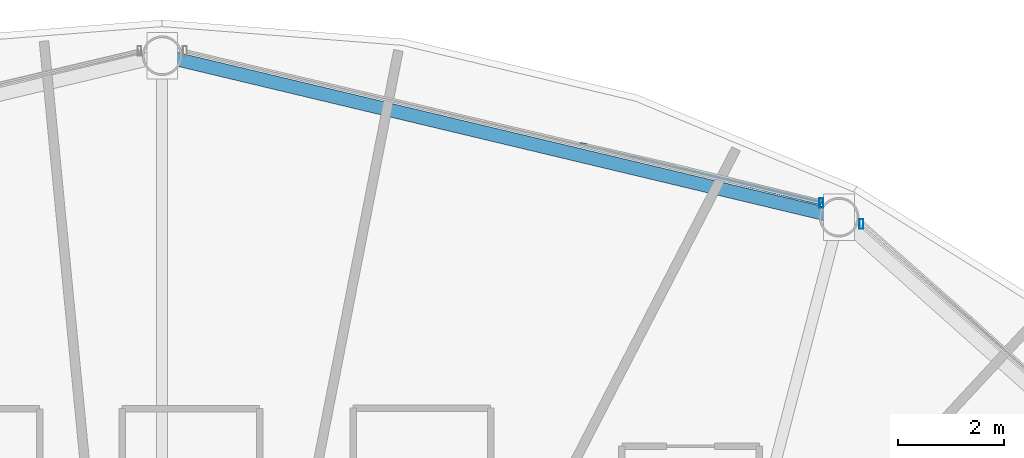
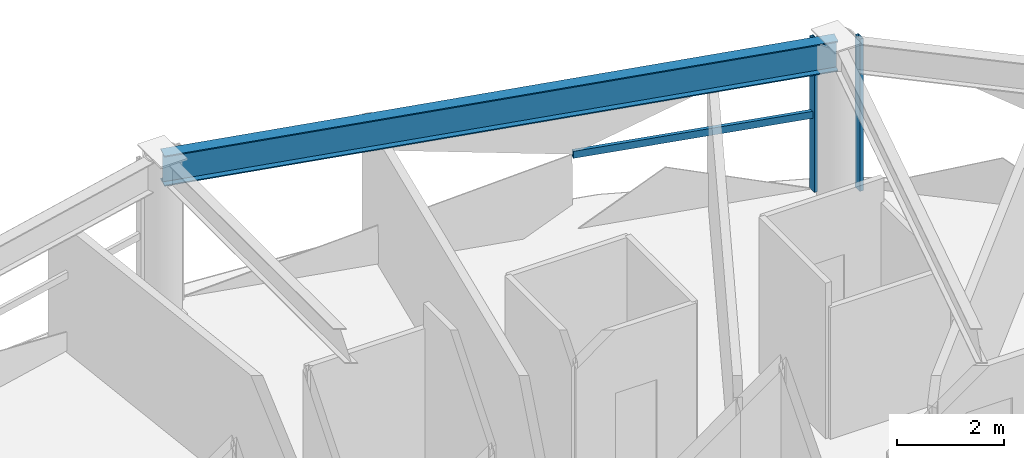
# One storey, part 21 of 32: 3 members, 1 beam, 2 elements without a shape of their own.
"""IFC4 building model written with IfcOpenShell, lengths in metres."""

from ifc_helpers import new_model, si_unit, direction, frame, origin, origin_2d, place, context, subcontext, project, spatial, hollow_rectangle, i_section, extrude, material, layer, layer_set, material_profile, profile_set, type_object, element, aggregate, save


model = new_model("IFC4")

# Units and contexts
model_context = context("Model", 3, precision=1e-05, world=origin(), true_north=direction((0.0, 1.0)))
body_context = subcontext(model_context, "Body", "Model", "MODEL_VIEW")
ifc_project = project(units=[si_unit("LENGTHUNIT", "METRE"), si_unit("AREAUNIT", "SQUARE_METRE"), si_unit("VOLUMEUNIT", "CUBIC_METRE"), si_unit("PLANEANGLEUNIT", "RADIAN"), si_unit("MASSUNIT", "GRAM", prefix="KILO")], contexts=[model_context])

# Site, building, storey
site_placement = place(None, origin())
site = spatial("IfcSite", under=ifc_project, at=site_placement, CompositionType="ELEMENT")
building_placement = place(site_placement, origin())
building = spatial("IfcBuilding", under=site, at=building_placement, Name="Vantalir Tower", CompositionType="ELEMENT")
storey_placement = place(building_placement, frame((0.0, 0.0, 100.949951171875)))
storey = spatial("IfcBuildingStorey", under=building, at=storey_placement, Name="L24", CompositionType="ELEMENT", Elevation=100.949951171875)

# Beam
ifc_material_1 = material(Name="Steel S460", Category="steel")
ifc_material_profile_1 = material_profile(ifc_material_1, i_section(OverallWidth=0.256103515625, OverallDepth=0.693115234375, WebThickness=0.014404296875, FlangeThickness=0.023681640625, at=origin_2d()), Name="Steel S460")
ifc_profile_set_1 = profile_set([ifc_material_profile_1], Name="Steel S460")
beam_type = type_object("IfcBeamType", Name="BM-RG-686x254", PredefinedType="USERDEFINED", material=ifc_profile_set_1)
beam_placement = place(storey_placement, frame((44.2939453125, 44.735107421875, 3.22314453125), z_axis=(-0.972689585219, 0.232109824883, 0.0), x_axis=(-0.232109824883, -0.972689585219, 0.0)))
element("IfcBeam", 1, at=beam_placement, inside=storey, type_object=beam_type, Name="L24 Circumferential Ring Girder 03", ObjectType="GIRDER", PredefinedType="USERDEFINED", context=body_context, shape_type="SweptSolid", body=[
    extrude(i_section(OverallWidth=0.256103515625, OverallDepth=0.693115234375, WebThickness=0.014404296875, FlangeThickness=0.023681640625, at=origin_2d()), origin(), (0.0, 0.0, 1.0), 13.153076171875),
])

# Curtain wall, member
ifc_material_2 = material(Name="Champagne-silver PVDF aluminium and double-silver Low-E glass", Category="aluminium")
ifc_layer = layer(ifc_material_2, 0.199951171875)
ifc_layer_set = layer_set([ifc_layer], Name="Champagne-silver PVDF aluminium and double-silver Low-E glass")
curtain_wall_type = type_object("IfcCurtainWallType", Name="CW-DIAMOND-Z2", PredefinedType="USERDEFINED", material=ifc_layer_set)
curtain_wall_1_placement = place(storey_placement, origin())
curtain_wall_1 = element("IfcCurtainWall", 2, at=curtain_wall_1_placement, inside=storey, type_object=curtain_wall_type, Name="L24 Quilted Pyramid-Diamond Curtain Wall S02", ObjectType="UNITISED CURTAIN WALL", PredefinedType="USERDEFINED")
ifc_material_3 = material(Name="Champagne-silver PVDF aluminium 6063-T6", Category="aluminium")
ifc_material_profile_2 = material_profile(ifc_material_3, hollow_rectangle(XDim=0.074951171875, YDim=0.179931640625, WallThickness=0.00390625, at=origin_2d()), Name="Champagne-silver PVDF aluminium 6063-T6")
ifc_profile_set_2 = profile_set([ifc_material_profile_2], Name="Champagne-silver PVDF aluminium 6063-T6")
member_type_1 = type_object("IfcMemberType", Name="CWM-180x75", PredefinedType="MULLION", material=ifc_profile_set_2)
member_1_placement = place(storey_placement, frame((44.717041015625, 44.60693359375, 0.045166015625), z_axis=(0.0, 0.0, 1.0), x_axis=(1.0, 0.0, 0.0)))
member_1 = element("IfcMember", 3, at=member_1_placement, type_object=member_type_1, Name="CW-L24-S02 Mullion 2", PredefinedType="MULLION", context=body_context, shape_type="SweptSolid", body=[
    extrude(hollow_rectangle(XDim=0.074951171875, YDim=0.179931640625, WallThickness=0.00390625, at=origin_2d()), origin(), (0.0, 0.0, 1.0), 3.47998046875),
])
aggregate(curtain_wall_1, [member_1])

# Curtain wall, members
curtain_wall_2_placement = place(storey_placement, origin())
curtain_wall_2 = element("IfcCurtainWall", 4, at=curtain_wall_2_placement, inside=storey, type_object=curtain_wall_type, Name="L24 Quilted Pyramid-Diamond Curtain Wall S03", ObjectType="UNITISED CURTAIN WALL", PredefinedType="USERDEFINED")
member_2_placement = place(storey_placement, frame((43.9609375, 45.001953125, 0.045166015625), z_axis=(0.0, 0.0, 1.0), x_axis=(1.0, 0.0, 0.0)))
member_2 = element("IfcMember", 5, at=member_2_placement, type_object=member_type_1, Name="CW-L24-S03 Mullion 1", PredefinedType="MULLION", context=body_context, shape_type="SweptSolid", body=[
    extrude(hollow_rectangle(XDim=0.074951171875, YDim=0.179931640625, WallThickness=0.00390625, at=origin_2d()), origin(), (0.0, 0.0, 1.0), 3.47998046875),
])
ifc_material_profile_3 = material_profile(ifc_material_3, hollow_rectangle(XDim=0.074951171875, YDim=0.159912109375, WallThickness=0.00390625, at=origin_2d()), Name="Champagne-silver PVDF aluminium 6063-T6")
ifc_profile_set_3 = profile_set([ifc_material_profile_3], Name="Champagne-silver PVDF aluminium 6063-T6")
member_type_2 = type_object("IfcMemberType", Name="CWT-160x75", PredefinedType="USERDEFINED", material=ifc_profile_set_3)
member_3_placement = place(storey_placement, frame((43.9609375, 45.001953125, 1.78515625), z_axis=(-0.971430694941, 0.237323418412, 0.0), x_axis=(-0.237323418412, -0.971430694941, 0.0)))
member_3 = element("IfcMember", 6, at=member_3_placement, type_object=member_type_2, Name="CW-L24-S03 Pyramid Fold Ridge Transom", ObjectType="TRANSOM", PredefinedType="USERDEFINED", context=body_context, shape_type="SweptSolid", body=[
    extrude(hollow_rectangle(XDim=0.074951171875, YDim=0.159912109375, WallThickness=0.00390625, at=origin_2d()), origin(), (0.0, 0.0, 1.0), 4.6982421875),
])
aggregate(curtain_wall_2, [member_2, member_3])

save(model, "model.ifc")
